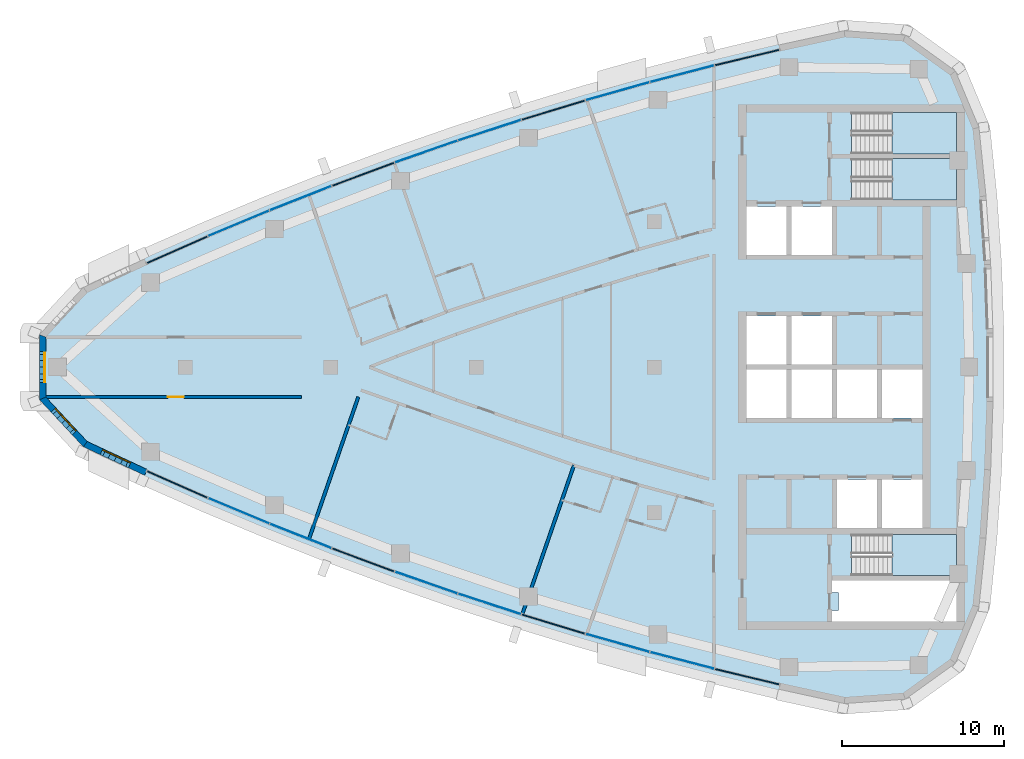
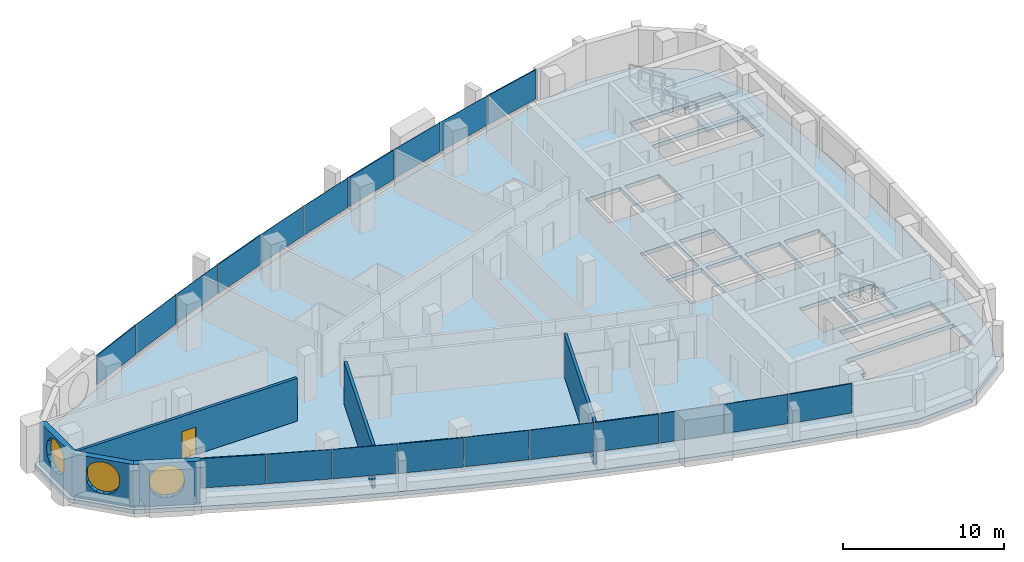
# One storey, part 6 of 14: 20 plates, 6 walls, 4 slabs, 3 windows, 1 door, 5 openings, 13 elements without a shape of their own.
"""IFC4 building model written with IfcOpenShell, lengths in metres."""

from ifc_helpers import new_model, si_unit, direction, frame, frame_2d, origin, origin_2d, place, context, subcontext, project, spatial, polyline, rectangle, outline, extrude, material, layer, layer_set, type_object, element, fill, aggregate, save


model = new_model("IFC4")

# Units and contexts
model_context = context("Model", 3, precision=1e-05, world=origin(), true_north=direction((0.0, 1.0)))
body_context = subcontext(model_context, "Body", "Model", "MODEL_VIEW")
ifc_project = project(units=[si_unit("LENGTHUNIT", "METRE"), si_unit("AREAUNIT", "SQUARE_METRE"), si_unit("VOLUMEUNIT", "CUBIC_METRE"), si_unit("PLANEANGLEUNIT", "RADIAN"), si_unit("MASSUNIT", "GRAM", prefix="KILO")], contexts=[model_context])

# Site, building, storey
site_placement = place(None, origin())
site = spatial("IfcSite", under=ifc_project, at=site_placement, CompositionType="ELEMENT")
building_placement = place(site_placement, origin())
building = spatial("IfcBuilding", under=site, at=building_placement, Name="Ostrand Prow Hotel Tower", CompositionType="ELEMENT")
storey_placement = place(building_placement, frame((0.0, 0.0, 267.89990234375)))
storey = spatial("IfcBuildingStorey", under=building, at=storey_placement, Name="L67", CompositionType="ELEMENT", Elevation=267.89990234375)

# Curtain wall, plate
ifc_material_1 = material(Name="Insulated glass in bronze anodised frame", Category="glass")
ifc_layer_1 = layer(ifc_material_1, 0.199951171875)
ifc_layer_set_1 = layer_set([ifc_layer_1], Name="Insulated glass in bronze anodised frame")
curtain_wall_type = type_object("IfcCurtainWallType", Name="Strip curtain wall, fritted glass over bronze spandrel", PredefinedType="NOTDEFINED", material=ifc_layer_set_1)
curtain_wall_1_placement = place(storey_placement, origin())
curtain_wall_1 = element("IfcCurtainWall", 1, at=curtain_wall_1_placement, inside=storey, type_object=curtain_wall_type, Name="CW1 run CWS1", PredefinedType="NOTDEFINED")
ifc_material_2 = material(Name="Ceramic-fritted glass", Category="glass")
ifc_layer_2 = layer(ifc_material_2, 0.031982421875)
ifc_layer_set_2 = layer_set([ifc_layer_2], Name="Ceramic-fritted glass")
plate_type_1 = type_object("IfcPlateType", Name="Dot-fritted ceramic glass unit 32 mm", PredefinedType="CURTAIN_PANEL", material=ifc_layer_set_2)
plate_1_placement = place(storey_placement, frame((19.297119140625, -8.893798828125, 1.02001953125), z_axis=(0.0, 0.0, 1.0), x_axis=(0.922719840955, -0.385471263659, 0.0)))
plate_1 = element("IfcPlate", 2, at=plate_1_placement, type_object=plate_type_1, Name="CW1 PN-D panel 2.2", PredefinedType="CURTAIN_PANEL", context=body_context, shape_type="SweptSolid", body=[
    extrude(rectangle(XDim=4.079833984375, YDim=0.031982421875, at=origin_2d()), origin(), (0.0, 0.0, 1.0), 2.22998046875),
])

curtain_wall_2_placement = place(storey_placement, origin())
curtain_wall_2 = element("IfcCurtainWall", 3, at=curtain_wall_2_placement, inside=storey, type_object=curtain_wall_type, Name="CW1 run CWS2", PredefinedType="NOTDEFINED")
plate_2_placement = place(storey_placement, frame((23.132568359375, -10.450927734375, 1.02001953125), z_axis=(0.0, 0.0, 1.0), x_axis=(0.930281895249, -0.366845465248, 0.0)))
plate_2 = element("IfcPlate", 4, at=plate_2_placement, type_object=plate_type_1, Name="CW1 PN-D panel 1.2", PredefinedType="CURTAIN_PANEL", context=body_context, shape_type="SweptSolid", body=[
    extrude(rectangle(XDim=4.079833984375, YDim=0.031982421875, at=origin_2d()), origin(), (0.0, 0.0, 1.0), 2.22998046875),
])

# Curtain wall, plates
curtain_wall_3_placement = place(storey_placement, origin())
curtain_wall_3 = element("IfcCurtainWall", 5, at=curtain_wall_3_placement, inside=storey, type_object=curtain_wall_type, Name="CW1 run CWS3", PredefinedType="NOTDEFINED")
plate_3_placement = place(storey_placement, frame((30.8935546875, -13.33251953125, 1.02001953125), z_axis=(0.0, 0.0, 1.0), x_axis=(0.944274730614, -0.329158370885, 0.0)))
plate_3 = element("IfcPlate", 6, at=plate_3_placement, type_object=plate_type_1, Name="CW1 PN-D panel 1.2", PredefinedType="CURTAIN_PANEL", context=body_context, shape_type="SweptSolid", body=[
    extrude(rectangle(XDim=4.079833984375, YDim=0.031982421875, at=origin_2d()), origin(), (0.0, 0.0, 1.0), 2.22998046875),
])
plate_4_placement = place(storey_placement, frame((34.81591796875, -14.65576171875, 1.02001953125), z_axis=(0.0, 0.0, 1.0), x_axis=(0.950700464612, -0.310110668289, 0.0)))
plate_4 = element("IfcPlate", 7, at=plate_4_placement, type_object=plate_type_1, Name="CW1 PN-D panel 2.2", PredefinedType="CURTAIN_PANEL", context=body_context, shape_type="SweptSolid", body=[
    extrude(rectangle(XDim=4.079833984375, YDim=0.031982421875, at=origin_2d()), origin(), (0.0, 0.0, 1.0), 2.22998046875),
])
aggregate(curtain_wall_3, [plate_3, plate_4])

# Curtain wall, plate
curtain_wall_4_placement = place(storey_placement, origin())
curtain_wall_4 = element("IfcCurtainWall", 8, at=curtain_wall_4_placement, inside=storey, type_object=curtain_wall_type, Name="CW1 run CWS4", PredefinedType="NOTDEFINED")
plate_5_placement = place(storey_placement, frame((42.736572265625, -17.064453125, 1.02001953125), z_axis=(0.0, 0.0, 1.0), x_axis=(0.962396468548, -0.271648738865, 0.0)))
plate_5 = element("IfcPlate", 9, at=plate_5_placement, type_object=plate_type_1, Name="CW1 PN-D panel 2.2", PredefinedType="CURTAIN_PANEL", context=body_context, shape_type="SweptSolid", body=[
    extrude(rectangle(XDim=4.079833984375, YDim=0.031982421875, at=origin_2d()), origin(), (0.0, 0.0, 1.0), 2.22998046875),
])

curtain_wall_5_placement = place(storey_placement, origin())
curtain_wall_5 = element("IfcCurtainWall", 10, at=curtain_wall_5_placement, inside=storey, type_object=curtain_wall_type, Name="CW1 run CWS5", PredefinedType="NOTDEFINED")
plate_6_placement = place(storey_placement, frame((46.731689453125, -18.148681640625, 1.02001953125), z_axis=(0.0, 0.0, 1.0), x_axis=(0.967662519855, -0.252248384867, 0.0)))
plate_6 = element("IfcPlate", 11, at=plate_6_placement, type_object=plate_type_1, Name="CW1 PN-D panel 1.2", PredefinedType="CURTAIN_PANEL", context=body_context, shape_type="SweptSolid", body=[
    extrude(rectangle(XDim=4.079833984375, YDim=0.031982421875, at=origin_2d()), origin(), (0.0, 0.0, 1.0), 2.22998046875),
])

curtain_wall_6_placement = place(storey_placement, origin())
curtain_wall_6 = element("IfcCurtainWall", 12, at=curtain_wall_6_placement, inside=storey, type_object=curtain_wall_type, Name="CW1 run CWN1", PredefinedType="NOTDEFINED")
plate_7_placement = place(storey_placement, frame((46.731689453125, 18.148681640625, 1.02001953125), z_axis=(0.0, 0.0, 1.0), x_axis=(-0.967662519855, -0.252248384867, 0.0)))
plate_7 = element("IfcPlate", 13, at=plate_7_placement, type_object=plate_type_1, Name="CW1 PN-D panel 2.2", PredefinedType="CURTAIN_PANEL", context=body_context, shape_type="SweptSolid", body=[
    extrude(rectangle(XDim=4.079833984375, YDim=0.031982421875, at=origin_2d()), origin(), (0.0, 0.0, 1.0), 2.22998046875),
])

curtain_wall_7_placement = place(storey_placement, origin())
curtain_wall_7 = element("IfcCurtainWall", 14, at=curtain_wall_7_placement, inside=storey, type_object=curtain_wall_type, Name="CW1 run CWN2", PredefinedType="NOTDEFINED")
plate_8_placement = place(storey_placement, frame((42.736572265625, 17.064453125, 1.02001953125), z_axis=(0.0, 0.0, 1.0), x_axis=(-0.962396468548, -0.271648738865, 0.0)))
plate_8 = element("IfcPlate", 15, at=plate_8_placement, type_object=plate_type_1, Name="CW1 PN-D panel 1.2", PredefinedType="CURTAIN_PANEL", context=body_context, shape_type="SweptSolid", body=[
    extrude(rectangle(XDim=4.079833984375, YDim=0.031982421875, at=origin_2d()), origin(), (0.0, 0.0, 1.0), 2.22998046875),
])

# Curtain wall, plates
curtain_wall_8_placement = place(storey_placement, origin())
curtain_wall_8 = element("IfcCurtainWall", 16, at=curtain_wall_8_placement, inside=storey, type_object=curtain_wall_type, Name="CW1 run CWN3", PredefinedType="NOTDEFINED")
plate_9_placement = place(storey_placement, frame((34.81591796875, 14.65576171875, 1.02001953125), z_axis=(0.0, 0.0, 1.0), x_axis=(-0.950700464612, -0.310110668289, 0.0)))
plate_9 = element("IfcPlate", 17, at=plate_9_placement, type_object=plate_type_1, Name="CW1 PN-D panel 1.2", PredefinedType="CURTAIN_PANEL", context=body_context, shape_type="SweptSolid", body=[
    extrude(rectangle(XDim=4.079833984375, YDim=0.031982421875, at=origin_2d()), origin(), (0.0, 0.0, 1.0), 2.22998046875),
])
plate_10_placement = place(storey_placement, frame((30.8935546875, 13.33251953125, 1.02001953125), z_axis=(0.0, 0.0, 1.0), x_axis=(-0.944274730614, -0.329158370885, 0.0)))
plate_10 = element("IfcPlate", 18, at=plate_10_placement, type_object=plate_type_1, Name="CW1 PN-D panel 2.2", PredefinedType="CURTAIN_PANEL", context=body_context, shape_type="SweptSolid", body=[
    extrude(rectangle(XDim=4.079833984375, YDim=0.031982421875, at=origin_2d()), origin(), (0.0, 0.0, 1.0), 2.22998046875),
])
aggregate(curtain_wall_8, [plate_9, plate_10])

# Curtain wall, plate
curtain_wall_9_placement = place(storey_placement, origin())
curtain_wall_9 = element("IfcCurtainWall", 19, at=curtain_wall_9_placement, inside=storey, type_object=curtain_wall_type, Name="CW1 run CWN4", PredefinedType="NOTDEFINED")
plate_11_placement = place(storey_placement, frame((23.132568359375, 10.450927734375, 1.02001953125), z_axis=(0.0, 0.0, 1.0), x_axis=(-0.930281895249, -0.366845465248, 0.0)))
plate_11 = element("IfcPlate", 20, at=plate_11_placement, type_object=plate_type_1, Name="CW1 PN-D panel 2.2", PredefinedType="CURTAIN_PANEL", context=body_context, shape_type="SweptSolid", body=[
    extrude(rectangle(XDim=4.079833984375, YDim=0.031982421875, at=origin_2d()), origin(), (0.0, 0.0, 1.0), 2.22998046875),
])

curtain_wall_10_placement = place(storey_placement, origin())
curtain_wall_10 = element("IfcCurtainWall", 21, at=curtain_wall_10_placement, inside=storey, type_object=curtain_wall_type, Name="CW1 run CWN5", PredefinedType="NOTDEFINED")
plate_12_placement = place(storey_placement, frame((19.297119140625, 8.893798828125, 1.02001953125), z_axis=(0.0, 0.0, 1.0), x_axis=(-0.922719840955, -0.385471263659, 0.0)))
plate_12 = element("IfcPlate", 22, at=plate_12_placement, type_object=plate_type_1, Name="CW1 PN-D panel 1.2", PredefinedType="CURTAIN_PANEL", context=body_context, shape_type="SweptSolid", body=[
    extrude(rectangle(XDim=4.079833984375, YDim=0.031982421875, at=origin_2d()), origin(), (0.0, 0.0, 1.0), 2.22998046875),
])

# Plate
ifc_material_3 = material(Name="Fritted glass in bronze vent frame", Category="glass")
ifc_layer_3 = layer(ifc_material_3, 0.080078125)
ifc_layer_set_3 = layer_set([ifc_layer_3], Name="Fritted glass in bronze vent frame")
plate_type_2 = type_object("IfcPlateType", Name="Operable vent panel 80 mm", PredefinedType="CURTAIN_PANEL", material=ifc_layer_set_3)
plate_13_placement = place(storey_placement, frame((15.493408203125, -7.259765625, 1.02001953125), z_axis=(0.0, 0.0, 1.0), x_axis=(0.914785615941, -0.403939694592, 0.0)))
plate_13 = element("IfcPlate", 23, at=plate_13_placement, type_object=plate_type_2, Name="CW1 PN-O2 panel 1.2", PredefinedType="CURTAIN_PANEL", context=body_context, shape_type="SweptSolid", body=[
    extrude(rectangle(XDim=4.079833984375, YDim=0.080078125, at=origin_2d()), origin(), (0.0, 0.0, 1.0), 2.22998046875),
])

aggregate(curtain_wall_1, [plate_13, plate_1])

plate_14_placement = place(storey_placement, frame((26.99853515625, -11.930908203125, 1.02001953125), z_axis=(0.0, 0.0, 1.0), x_axis=(0.937468017947, -0.348071422738, 0.0)))
plate_14 = element("IfcPlate", 24, at=plate_14_placement, type_object=plate_type_2, Name="CW1 PN-O2 panel 2.2", PredefinedType="CURTAIN_PANEL", context=body_context, shape_type="SweptSolid", body=[
    extrude(rectangle(XDim=4.079833984375, YDim=0.080078125, at=origin_2d()), origin(), (0.0, 0.0, 1.0), 2.22998046875),
])

aggregate(curtain_wall_2, [plate_2, plate_14])

plate_15_placement = place(storey_placement, frame((38.76416015625, -15.89990234375, 1.02001953125), z_axis=(0.0, 0.0, 1.0), x_axis=(0.956742015769, -0.290937648411, 0.0)))
plate_15 = element("IfcPlate", 25, at=plate_15_placement, type_object=plate_type_2, Name="CW1 PN-O2 panel 1.2", PredefinedType="CURTAIN_PANEL", context=body_context, shape_type="SweptSolid", body=[
    extrude(rectangle(XDim=4.079833984375, YDim=0.080078125, at=origin_2d()), origin(), (0.0, 0.0, 1.0), 2.22998046875),
])

aggregate(curtain_wall_4, [plate_15, plate_5])

plate_16_placement = place(storey_placement, frame((50.74755859375, -19.152587890625, 1.02001953125), z_axis=(0.0, 0.0, 1.0), x_axis=(0.972537533869, -0.232746096028, 0.0)))
plate_16 = element("IfcPlate", 26, at=plate_16_placement, type_object=plate_type_2, Name="CW1 PN-O2 panel 2.2", PredefinedType="CURTAIN_PANEL", context=body_context, shape_type="SweptSolid", body=[
    extrude(rectangle(XDim=4.079833984375, YDim=0.080078125, at=origin_2d()), origin(), (0.0, 0.0, 1.0), 2.22998046875),
])

aggregate(curtain_wall_5, [plate_6, plate_16])

plate_17_placement = place(storey_placement, frame((50.74755859375, 19.152587890625, 1.02001953125), z_axis=(0.0, 0.0, 1.0), x_axis=(-0.972537533869, -0.232746096028, 0.0)))
plate_17 = element("IfcPlate", 27, at=plate_17_placement, type_object=plate_type_2, Name="CW1 PN-O2 panel 1.2", PredefinedType="CURTAIN_PANEL", context=body_context, shape_type="SweptSolid", body=[
    extrude(rectangle(XDim=4.079833984375, YDim=0.080078125, at=origin_2d()), origin(), (0.0, 0.0, 1.0), 2.22998046875),
])

aggregate(curtain_wall_6, [plate_17, plate_7])

plate_18_placement = place(storey_placement, frame((38.76416015625, 15.89990234375, 1.02001953125), z_axis=(0.0, 0.0, 1.0), x_axis=(-0.956742015769, -0.290937648411, 0.0)))
plate_18 = element("IfcPlate", 28, at=plate_18_placement, type_object=plate_type_2, Name="CW1 PN-O2 panel 2.2", PredefinedType="CURTAIN_PANEL", context=body_context, shape_type="SweptSolid", body=[
    extrude(rectangle(XDim=4.079833984375, YDim=0.080078125, at=origin_2d()), origin(), (0.0, 0.0, 1.0), 2.22998046875),
])

aggregate(curtain_wall_7, [plate_8, plate_18])

plate_19_placement = place(storey_placement, frame((26.99853515625, 11.930908203125, 1.02001953125), z_axis=(0.0, 0.0, 1.0), x_axis=(-0.937468017947, -0.348071422738, 0.0)))
plate_19 = element("IfcPlate", 29, at=plate_19_placement, type_object=plate_type_2, Name="CW1 PN-O2 panel 1.2", PredefinedType="CURTAIN_PANEL", context=body_context, shape_type="SweptSolid", body=[
    extrude(rectangle(XDim=4.079833984375, YDim=0.080078125, at=origin_2d()), origin(), (0.0, 0.0, 1.0), 2.22998046875),
])

aggregate(curtain_wall_9, [plate_19, plate_11])

plate_20_placement = place(storey_placement, frame((15.493408203125, 7.259765625, 1.02001953125), z_axis=(0.0, 0.0, 1.0), x_axis=(-0.914785615941, -0.403939694592, 0.0)))
plate_20 = element("IfcPlate", 30, at=plate_20_placement, type_object=plate_type_2, Name="CW1 PN-O2 panel 2.2", PredefinedType="CURTAIN_PANEL", context=body_context, shape_type="SweptSolid", body=[
    extrude(rectangle(XDim=4.079833984375, YDim=0.080078125, at=origin_2d()), origin(), (0.0, 0.0, 1.0), 2.22998046875),
])

aggregate(curtain_wall_10, [plate_12, plate_20])

# Slab, opening
ifc_material_4 = material(Name="Concrete C40/50", Category="concrete")
ifc_layer_4 = layer(ifc_material_4, 0.300048828125)
ifc_layer_set_4 = layer_set([ifc_layer_4], Name="Concrete C40/50")
slab_type_1 = type_object("IfcSlabType", Name="PT flat plate 300 C40/50", PredefinedType="FLOOR", material=ifc_layer_set_4)
slab_1_placement = place(storey_placement, frame((0.0, 0.0, -0.2998046875)))
slab_1 = element("IfcSlab", 31, at=slab_1_placement, inside=storey, type_object=slab_type_1, Name="Floor slab L67-1", PredefinedType="FLOOR", context=body_context, shape_type="SweptSolid", body=[
    extrude(outline(polyline([(9.560791015625, 5.168212890625), (13.365478515625, 6.9404296875), (17.1630859375, 8.6171875), (20.993408203125, 10.21728515625), (24.855224609375, 11.740234375), (28.746826171875, 13.185302734375), (32.666748046875, 14.551513671875), (36.61328125, 15.8388671875), (40.5849609375, 17.046630859375), (44.580078125, 18.17431640625), (48.596923828125, 19.221435546875), (52.634033203125, 20.187744140625), (56.72265625, 21.07958984375), (60.634765625, 20.80029296875), (63.84765625, 18.49072265625), (65.35888671875, 14.87060546875), (65.796875, 10.611083984375), (66.0869140625, 6.37158203125), (66.23193359375, 2.124755859375), (66.23193359375, -2.124755859375), (66.0869140625, -6.37158203125), (65.796875, -10.611083984375), (65.35888671875, -14.87060546875), (63.84765625, -18.49072265625), (60.634765625, -20.80029296875), (56.72265625, -21.07958984375), (52.634033203125, -20.187744140625), (48.596923828125, -19.221435546875), (44.580078125, -18.17431640625), (40.5849609375, -17.046630859375), (36.61328125, -15.8388671875), (32.666748046875, -14.551513671875), (28.746826171875, -13.185302734375), (24.855224609375, -11.740234375), (20.993408203125, -10.21728515625), (17.1630859375, -8.6171875), (13.365478515625, -6.9404296875), (9.560791015625, -5.168212890625), (6.71484375, -2.112548828125), (6.71484375, 2.112548828125), (9.560791015625, 5.168212890625)]), holes=[polyline([(50.699951171875, 6.949951171875), (53.199951171875, 6.949951171875), (53.199951171875, 9.949951171875), (50.699951171875, 9.949951171875), (50.699951171875, 6.949951171875)]), polyline([(53.5, 6.949951171875), (56.0, 6.949951171875), (56.0, 9.949951171875), (53.5, 9.949951171875), (53.5, 6.949951171875)]), polyline([(50.699951171875, 0.14990234375), (53.199951171875, 0.14990234375), (53.199951171875, 3.14990234375), (50.699951171875, 3.14990234375), (50.699951171875, 0.14990234375)]), polyline([(53.5, 0.14990234375), (56.0, 0.14990234375), (56.0, 3.14990234375), (53.5, 3.14990234375), (53.5, 0.14990234375)]), polyline([(50.699951171875, -3.14990234375), (53.199951171875, -3.14990234375), (53.199951171875, -0.14990234375), (50.699951171875, -0.14990234375), (50.699951171875, -3.14990234375)]), polyline([(53.5, -3.14990234375), (56.0, -3.14990234375), (56.0, -0.14990234375), (53.5, -0.14990234375), (53.5, -3.14990234375)]), polyline([(56.300048828125, -3.14990234375), (58.800048828125, -3.14990234375), (58.800048828125, -0.14990234375), (56.300048828125, -0.14990234375), (56.300048828125, -3.14990234375)]), polyline([(59.10009765625, -3.14990234375), (61.60009765625, -3.14990234375), (61.60009765625, -0.14990234375), (59.10009765625, -0.14990234375), (59.10009765625, -3.14990234375)]), polyline([(56.300048828125, -9.949951171875), (58.800048828125, -9.949951171875), (58.800048828125, -6.949951171875), (56.300048828125, -6.949951171875), (56.300048828125, -9.949951171875)]), polyline([(59.10009765625, -9.949951171875), (61.60009765625, -9.949951171875), (61.60009765625, -6.949951171875), (59.10009765625, -6.949951171875), (59.10009765625, -9.949951171875)]), polyline([(57.200927734375, 10.35107421875), (57.200927734375, 12.89892578125), (63.718994140625, 12.89892578125), (63.718994140625, 10.35107421875), (57.200927734375, 10.35107421875)]), polyline([(57.200927734375, 13.200927734375), (57.200927734375, 15.7490234375), (63.718994140625, 15.7490234375), (63.718994140625, 13.200927734375), (57.200927734375, 13.200927734375)]), polyline([(57.200927734375, -12.89892578125), (57.200927734375, -10.35107421875), (63.718994140625, -10.35107421875), (63.718994140625, -12.89892578125), (57.200927734375, -12.89892578125)]), polyline([(56.0, -13.949951171875), (56.0, -13.199951171875), (63.719970703125, -13.199951171875), (63.719970703125, -15.75), (56.0, -15.75), (56.0, -15.050048828125), (56.39990234375, -15.050048828125), (56.39990234375, -13.949951171875), (56.0, -13.949951171875)])]), origin(), (0.0, 0.0, 1.0), 0.2998046875),
])
opening_1_placement = place(slab_1_placement, origin())
element("IfcOpeningElement", 32, at=opening_1_placement, cuts=slab_1, Name="Shaft opening 1", PredefinedType="OPENING", context=body_context, shape_type="SweptSolid", body=[
    extrude(outline(polyline([(56.0, -13.949951171875), (56.0, -13.199951171875), (63.719970703125, -13.199951171875), (63.719970703125, -15.75), (56.0, -15.75), (56.0, -15.050048828125), (56.39990234375, -15.050048828125), (56.39990234375, -13.949951171875), (56.0, -13.949951171875)])), origin(), (0.0, 0.0, 1.0), 0.2998046875),
])

# Stair, slab
ifc_material_5 = material(Name="Concrete C40/50", Category="concrete")
stair_type = type_object("IfcStairType", Name="Exit stair 1200 upper zone", PredefinedType="HALF_TURN_STAIR", material=ifc_material_5)
stair_1_placement = place(storey_placement, origin())
stair_1 = element("IfcStair", 33, at=stair_1_placement, inside=storey, type_object=stair_type, Name="L67 ST1C", PredefinedType="HALF_TURN_STAIR")
ifc_material_6 = material(Name="Concrete C40/50", Category="concrete")
ifc_layer_5 = layer(ifc_material_6, 0.199951171875)
ifc_layer_set_5 = layer_set([ifc_layer_5], Name="Concrete C40/50")
slab_type_2 = type_object("IfcSlabType", Name="Stair landing 200 concrete", PredefinedType="LANDING", material=ifc_layer_set_5)
slab_2_placement = place(storey_placement, frame((0.0, 0.0, 1.5751953125)))
slab_2 = element("IfcSlab", 34, at=slab_2_placement, type_object=slab_type_2, Name="ST1C landing 1", PredefinedType="LANDING", context=body_context, shape_type="SweptSolid", body=[
    extrude(outline(polyline([(59.719970703125, 10.35009765625), (63.719970703125, 10.35009765625), (63.719970703125, 12.89990234375), (59.719970703125, 12.89990234375), (59.719970703125, 10.35009765625)])), origin(), (0.0, 0.0, 1.0), 0.199951171875),
])
aggregate(stair_1, [slab_2])

stair_2_placement = place(storey_placement, origin())
stair_2 = element("IfcStair", 35, at=stair_2_placement, inside=storey, type_object=stair_type, Name="L67 ST3C", PredefinedType="HALF_TURN_STAIR")
slab_3_placement = place(storey_placement, frame((0.0, 0.0, 1.5751953125)))
slab_3 = element("IfcSlab", 36, at=slab_3_placement, type_object=slab_type_2, Name="ST3C landing 1", PredefinedType="LANDING", context=body_context, shape_type="SweptSolid", body=[
    extrude(outline(polyline([(59.719970703125, 13.199951171875), (63.719970703125, 13.199951171875), (63.719970703125, 15.75), (59.719970703125, 15.75), (59.719970703125, 13.199951171875)])), origin(), (0.0, 0.0, 1.0), 0.199951171875),
])
aggregate(stair_2, [slab_3])

stair_3_placement = place(storey_placement, origin())
stair_3 = element("IfcStair", 37, at=stair_3_placement, inside=storey, type_object=stair_type, Name="L67 ST2C", PredefinedType="HALF_TURN_STAIR")
slab_4_placement = place(storey_placement, frame((0.0, 0.0, 1.5751953125)))
slab_4 = element("IfcSlab", 38, at=slab_4_placement, type_object=slab_type_2, Name="ST2C landing 1", PredefinedType="LANDING", context=body_context, shape_type="SweptSolid", body=[
    extrude(outline(polyline([(59.719970703125, -12.89990234375), (63.719970703125, -12.89990234375), (63.719970703125, -10.35009765625), (59.719970703125, -10.35009765625), (59.719970703125, -12.89990234375)])), origin(), (0.0, 0.0, 1.0), 0.199951171875),
])
aggregate(stair_3, [slab_4])

# Wall, opening, door
ifc_material_7 = material(Name="Plasterboard partition")
ifc_layer_6 = layer(ifc_material_7, 0.199951171875)
ifc_layer_set_6 = layer_set([ifc_layer_6], Name="Plasterboard partition")
wall_type_1 = type_object("IfcWallType", Name="Partition 200 corridor wall", PredefinedType="PARTITIONING", material=ifc_layer_set_6)
wall_1_placement = place(storey_placement, frame((7.287109375, -1.85009765625, 0.0), z_axis=(0.0, 0.0, 1.0), x_axis=(1.0, 0.0, 0.0)))
wall_1 = element("IfcWall", 39, at=wall_1_placement, inside=storey, type_object=wall_type_1, Name="CORRIDOR WALL", PredefinedType="PARTITIONING", context=body_context, shape_type="SweptSolid", body=[
    extrude(rectangle(XDim=15.898681640625, YDim=0.199951171875, at=frame_2d((7.94921875, 0.0))), origin(), (0.0, 0.0, 1.0), 3.25),
])
opening_2_placement = place(wall_1_placement, frame((7.6240234375, 0.0, 0.0)))
opening_2 = element("IfcOpeningElement", 40, at=opening_2_placement, cuts=wall_1, Name="Opening D1R", PredefinedType="OPENING", context=body_context, shape_type="SweptSolid", body=[
    extrude(rectangle(XDim=1.0, YDim=2.10009765625, at=frame_2d((0.5, 1.050048828125))), frame((0.0, 0.10986328125, 0.0), z_axis=(0.0, -1.0, 0.0), x_axis=(1.0, 0.0, 0.0)), (0.0, 0.0, 1.0), 0.219970703125),
])
ifc_material_8 = material(Name="Timber door leaf", Category="wood")
door_type = type_object("IfcDoorType", Name="Guest room door 1000 right", OperationType="SINGLE_SWING_RIGHT", PredefinedType="DOOR", material=ifc_material_8)
door_placement = place(opening_2_placement, origin())
door = element("IfcDoor", 41, at=door_placement, inside=storey, type_object=door_type, Name="DOOR", OperationType="SINGLE_SWING_RIGHT", OverallHeight=2.10009765625, OverallWidth=1.0, PredefinedType="DOOR", context=body_context, shape_type="SweptSolid", body=[
    extrude(rectangle(XDim=1.0, YDim=2.10009765625, at=frame_2d((0.5, 1.050048828125))), frame((0.0, 0.02490234375, 0.0), z_axis=(0.0, -1.0, 0.0), x_axis=(1.0, 0.0, 0.0)), (0.0, 0.0, 1.0), 0.050048828125),
])
fill(opening_2, door)

# Walls
ifc_material_9 = material(Name="Plasterboard partition")
ifc_layer_7 = layer(ifc_material_9, 0.199951171875)
ifc_layer_set_7 = layer_set([ifc_layer_7], Name="Plasterboard partition")
wall_type_2 = type_object("IfcWallType", Name="Partition 200 key partition", PredefinedType="PARTITIONING", material=ifc_layer_set_7)
wall_2_placement = place(storey_placement, frame((23.66845703125, -10.573486328125, 0.0), z_axis=(0.0, 0.0, 1.0), x_axis=(0.327714422317, 0.944776829418, 0.0)))
element("IfcWall", 42, at=wall_2_placement, inside=storey, type_object=wall_type_2, Name="KEY PARTITION", PredefinedType="PARTITIONING", context=body_context, shape_type="SweptSolid", body=[
    extrude(rectangle(XDim=9.2333984375, YDim=0.199951171875, at=frame_2d((4.61669921875, 0.0))), origin(), (0.0, 0.0, 1.0), 3.25),
])
wall_3_placement = place(storey_placement, frame((36.86083984375, -15.23486328125, 0.0), z_axis=(0.0, 0.0, 1.0), x_axis=(0.327710853631, 0.944778067279, 0.0)))
element("IfcWall", 43, at=wall_3_placement, inside=storey, type_object=wall_type_2, Name="KEY PARTITION", PredefinedType="PARTITIONING", context=body_context, shape_type="SweptSolid", body=[
    extrude(rectangle(XDim=9.707275390625, YDim=0.199951171875, at=frame_2d((4.853515625, 0.0))), origin(), (0.0, 0.0, 1.0), 3.25),
])

# Wall, opening, window
ifc_material_10 = material(Name="Precast concrete C40/50", Category="concrete")
ifc_layer_8 = layer(ifc_material_10, 0.39990234375)
ifc_layer_set_8 = layer_set([ifc_layer_8], Name="Precast concrete C40/50")
wall_type_3 = type_object("IfcWallType", Name="Stone-faced precast wall 400 mm", PredefinedType="NOTDEFINED", material=ifc_layer_set_8)
wall_4_placement = place(storey_placement, frame((7.167236328125, 1.9345703125, 0.0), z_axis=(0.0, 0.0, 1.0), x_axis=(0.0, -1.0, 0.0)))
wall_4 = element("IfcWall", 44, at=wall_4_placement, inside=storey, type_object=wall_type_3, Name="Stone-faced wall prow 3", PredefinedType="NOTDEFINED", context=body_context, shape_type="SweptSolid", body=[
    extrude(outline(polyline([(-0.07861328125, -0.199951171875), (3.94775390625, -0.199951171875), (3.79052734375, 0.199951171875), (0.07861328125, 0.199951171875), (-0.07861328125, -0.199951171875)])), origin(), (0.0, 0.0, 1.0), 3.25),
])
opening_3_placement = place(wall_4_placement, frame((0.834716796875, 0.0, 0.60009765625)))
opening_3 = element("IfcOpeningElement", 45, at=opening_3_placement, cuts=wall_4, Name="Opening WP1", PredefinedType="OPENING", context=body_context, shape_type="SweptSolid", body=[
    extrude(outline(polyline([(0.0, 1.35009765625), (0.083740234375, 1.77099609375), (0.322265625, 2.127685546875), (0.678955078125, 2.3662109375), (1.10009765625, 2.449951171875), (1.52099609375, 2.3662109375), (1.877685546875, 2.127685546875), (2.1162109375, 1.77099609375), (2.199951171875, 1.35009765625), (2.199951171875, 1.10009765625), (2.1162109375, 0.678955078125), (1.877685546875, 0.322265625), (1.52099609375, 0.083740234375), (1.10009765625, 0.0), (0.678955078125, 0.083740234375), (0.322265625, 0.322265625), (0.083740234375, 0.678955078125), (0.0, 1.099853515625), (0.0, 1.35009765625)])), frame((0.0, 0.2099609375, 0.0), z_axis=(0.0, -1.0, 0.0), x_axis=(1.0, 0.0, 0.0)), (0.0, 0.0, 1.0), 0.419921875),
])
ifc_material_11 = material(Name="Insulated glass in bronze frame", Category="glass")
window_type = type_object("IfcWindowType", Name="Round-ended prow window 2200x2450", PartitioningType="SINGLE_PANEL", PredefinedType="WINDOW", material=ifc_material_11)
window_1_placement = place(opening_3_placement, origin())
window_1 = element("IfcWindow", 46, at=window_1_placement, inside=storey, type_object=window_type, Name="Window prow 3.1", OverallHeight=2.449951171875, OverallWidth=2.199951171875, PartitioningType="SINGLE_PANEL", PredefinedType="WINDOW", context=body_context, shape_type="SweptSolid", body=[
    extrude(outline(polyline([(0.0, 1.35009765625), (0.083740234375, 1.77099609375), (0.322265625, 2.127685546875), (0.678955078125, 2.3662109375), (1.10009765625, 2.449951171875), (1.52099609375, 2.3662109375), (1.877685546875, 2.127685546875), (2.1162109375, 1.77099609375), (2.199951171875, 1.35009765625), (2.199951171875, 1.10009765625), (2.1162109375, 0.678955078125), (1.877685546875, 0.322265625), (1.52099609375, 0.083740234375), (1.10009765625, 0.0), (0.678955078125, 0.083740234375), (0.322265625, 0.322265625), (0.083740234375, 0.678955078125), (0.0, 1.099853515625), (0.0, 1.35009765625)])), frame((0.0, 0.169921875, 0.0), z_axis=(0.0, -1.0, 0.0), x_axis=(1.0, 0.0, 0.0)), (0.0, 0.0, 1.0), 0.06005859375),
])
fill(opening_3, window_1)

wall_5_placement = place(storey_placement, frame((7.167236328125, -1.9345703125, 0.0), z_axis=(0.0, 0.0, 1.0), x_axis=(0.6815467277, -0.73177459505, 0.0)))
wall_5 = element("IfcWall", 47, at=wall_5_placement, inside=storey, type_object=wall_type_3, Name="Stone-faced wall prow 4", PredefinedType="NOTDEFINED", context=body_context, shape_type="SweptSolid", body=[
    extrude(outline(polyline([(-0.07861328125, -0.199951171875), (3.908203125, -0.199951171875), (3.830078125, 0.199951171875), (0.07861328125, 0.199951171875), (-0.07861328125, -0.199951171875)])), origin(), (0.0, 0.0, 1.0), 3.25),
])
opening_4_placement = place(wall_5_placement, frame((0.834716796875, 0.0, 0.60009765625)))
opening_4 = element("IfcOpeningElement", 48, at=opening_4_placement, cuts=wall_5, Name="Opening WP1", PredefinedType="OPENING", context=body_context, shape_type="SweptSolid", body=[
    extrude(outline(polyline([(0.0, 1.35009765625), (0.083740234375, 1.77099609375), (0.322265625, 2.127685546875), (0.678955078125, 2.3662109375), (1.10009765625, 2.449951171875), (1.52099609375, 2.3662109375), (1.877685546875, 2.127685546875), (2.1162109375, 1.77099609375), (2.199951171875, 1.35009765625), (2.199951171875, 1.10009765625), (2.1162109375, 0.678955078125), (1.877685546875, 0.322265625), (1.52099609375, 0.083740234375), (1.10009765625, 0.0), (0.678955078125, 0.083740234375), (0.322265625, 0.322265625), (0.083740234375, 0.678955078125), (0.0, 1.099853515625), (0.0, 1.35009765625)])), frame((0.0, 0.2099609375, 0.0), z_axis=(0.0, -1.0, 0.0), x_axis=(1.0, 0.0, 0.0)), (0.0, 0.0, 1.0), 0.419921875),
])
window_2_placement = place(opening_4_placement, origin())
window_2 = element("IfcWindow", 49, at=window_2_placement, inside=storey, type_object=window_type, Name="Window prow 4.1", OverallHeight=2.449951171875, OverallWidth=2.199951171875, PartitioningType="SINGLE_PANEL", PredefinedType="WINDOW", context=body_context, shape_type="SweptSolid", body=[
    extrude(outline(polyline([(0.0, 1.35009765625), (0.083740234375, 1.77099609375), (0.322265625, 2.127685546875), (0.678955078125, 2.3662109375), (1.10009765625, 2.449951171875), (1.52099609375, 2.3662109375), (1.877685546875, 2.127685546875), (2.1162109375, 1.77099609375), (2.199951171875, 1.35009765625), (2.199951171875, 1.10009765625), (2.1162109375, 0.678955078125), (1.877685546875, 0.322265625), (1.52099609375, 0.083740234375), (1.10009765625, 0.0), (0.678955078125, 0.083740234375), (0.322265625, 0.322265625), (0.083740234375, 0.678955078125), (0.0, 1.099853515625), (0.0, 1.35009765625)])), frame((0.0, 0.169921875, 0.0), z_axis=(0.0, -1.0, 0.0), x_axis=(1.0, 0.0, 0.0)), (0.0, 0.0, 1.0), 0.06005859375),
])
fill(opening_4, window_2)

wall_6_placement = place(storey_placement, frame((9.80419921875, -4.765869140625, 0.0), z_axis=(0.0, 0.0, 1.0), x_axis=(0.906485602396, -0.42223672584, 0.0)))
wall_6 = element("IfcWall", 50, at=wall_6_placement, inside=storey, type_object=wall_type_3, Name="Stone-faced wall prow 5", PredefinedType="NOTDEFINED", context=body_context, shape_type="SweptSolid", body=[
    extrude(outline(polyline([(-0.0390625, -0.199951171875), (4.1416015625, -0.199951171875), (4.1416015625, 0.199951171875), (0.0390625, 0.199951171875), (-0.0390625, -0.199951171875)])), origin(), (0.0, 0.0, 1.0), 3.25),
])
opening_5_placement = place(wall_6_placement, frame((0.970947265625, 0.0, 0.60009765625)))
opening_5 = element("IfcOpeningElement", 51, at=opening_5_placement, cuts=wall_6, Name="Opening WP1", PredefinedType="OPENING", context=body_context, shape_type="SweptSolid", body=[
    extrude(outline(polyline([(0.0, 1.35009765625), (0.083740234375, 1.77099609375), (0.322265625, 2.127685546875), (0.678955078125, 2.3662109375), (1.10009765625, 2.449951171875), (1.52099609375, 2.3662109375), (1.877685546875, 2.127685546875), (2.1162109375, 1.77099609375), (2.199951171875, 1.35009765625), (2.199951171875, 1.10009765625), (2.1162109375, 0.678955078125), (1.877685546875, 0.322265625), (1.52099609375, 0.083740234375), (1.10009765625, 0.0), (0.678955078125, 0.083740234375), (0.322265625, 0.322265625), (0.083740234375, 0.678955078125), (0.0, 1.099853515625), (0.0, 1.35009765625)])), frame((0.0, 0.2099609375, 0.0), z_axis=(0.0, -1.0, 0.0), x_axis=(1.0, 0.0, 0.0)), (0.0, 0.0, 1.0), 0.419921875),
])
window_3_placement = place(opening_5_placement, origin())
window_3 = element("IfcWindow", 52, at=window_3_placement, inside=storey, type_object=window_type, Name="Window prow 5.1", OverallHeight=2.449951171875, OverallWidth=2.199951171875, PartitioningType="SINGLE_PANEL", PredefinedType="WINDOW", context=body_context, shape_type="SweptSolid", body=[
    extrude(outline(polyline([(0.0, 1.35009765625), (0.083740234375, 1.77099609375), (0.322265625, 2.127685546875), (0.678955078125, 2.3662109375), (1.10009765625, 2.449951171875), (1.52099609375, 2.3662109375), (1.877685546875, 2.127685546875), (2.1162109375, 1.77099609375), (2.199951171875, 1.35009765625), (2.199951171875, 1.10009765625), (2.1162109375, 0.678955078125), (1.877685546875, 0.322265625), (1.52099609375, 0.083740234375), (1.10009765625, 0.0), (0.678955078125, 0.083740234375), (0.322265625, 0.322265625), (0.083740234375, 0.678955078125), (0.0, 1.099853515625), (0.0, 1.35009765625)])), frame((0.0, 0.169921875, 0.0), z_axis=(0.0, -1.0, 0.0), x_axis=(1.0, 0.0, 0.0)), (0.0, 0.0, 1.0), 0.06005859375),
])
fill(opening_5, window_3)

save(model, "model.ifc")
